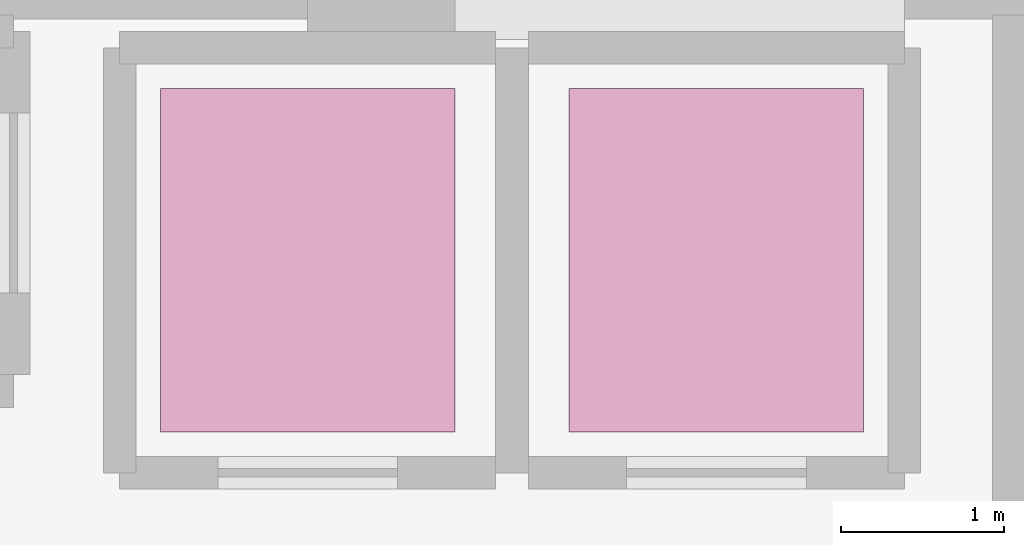
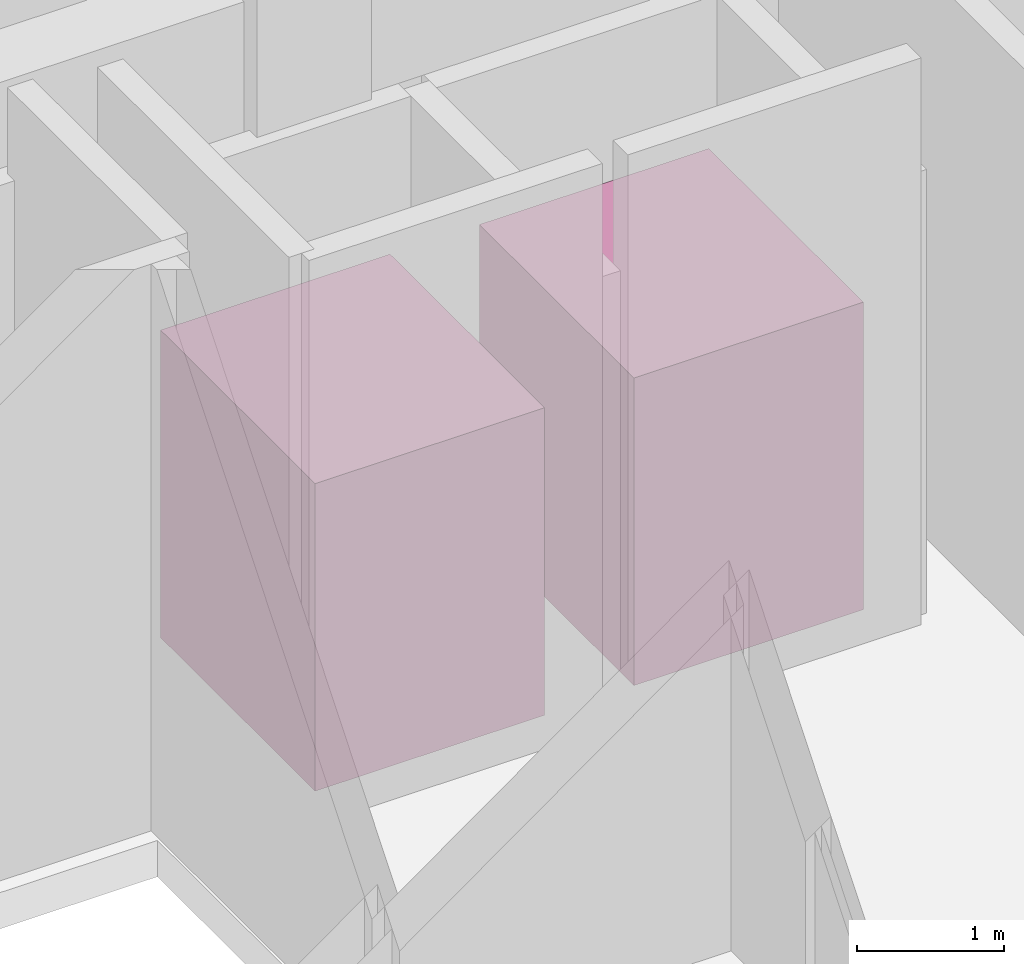
# One storey, part 25 of 25: 2 transport elements.
"""IFC4 building model written with IfcOpenShell, lengths in metres."""

from ifc_helpers import new_model, si_unit, direction, frame, origin, origin_2d, place, context, subcontext, project, spatial, rectangle, extrude, material, type_object, element, save


model = new_model("IFC4")

# Units and contexts
model_context = context("Model", 3, precision=1e-05, world=origin(), true_north=direction((0.0, 1.0)))
body_context = subcontext(model_context, "Body", "Model", "MODEL_VIEW")
ifc_project = project(units=[si_unit("LENGTHUNIT", "METRE"), si_unit("AREAUNIT", "SQUARE_METRE"), si_unit("VOLUMEUNIT", "CUBIC_METRE"), si_unit("PLANEANGLEUNIT", "RADIAN"), si_unit("MASSUNIT", "GRAM", prefix="KILO")], contexts=[model_context])

# Site, building, storey
site_placement = place(None, origin())
site = spatial("IfcSite", under=ifc_project, at=site_placement, CompositionType="ELEMENT")
building_placement = place(site_placement, origin())
building = spatial("IfcBuilding", under=site, at=building_placement, Name="Kovane Verandah Tower", CompositionType="ELEMENT")
storey_placement = place(building_placement, frame((0.0, 0.0, 233.199951171875)))
storey = spatial("IfcBuildingStorey", under=building, at=storey_placement, Name="L54", CompositionType="ELEMENT", Elevation=233.199951171875)

# Transport elements
ifc_material = material(Name="Stainless Steel Lift Car Assembly", Category="steel")
transport_element_type = type_object("IfcTransportElementType", Name="LF-CAR-1800", PredefinedType="ELEVATOR", material=ifc_material)
for number, where, z_axis, x_axis, name in (
    (1, (34.14990234375, 34.75, 0.0), (0.0, 0.0, 1.0), (1.0, 0.0, 0.0), "Lift Car PL-H1"),
    (2, (36.64990234375, 34.75, 0.0), (0.0, 0.0, 1.0), (1.0, 0.0, 0.0), "Lift Car PL-H2"),
):
    element("IfcTransportElement", number, at=place(storey_placement, frame(where, z_axis=z_axis, x_axis=x_axis)), inside=storey, type_object=transport_element_type, Name=name, PredefinedType="ELEVATOR", context=body_context, shape_type="SweptSolid", body=[
        extrude(rectangle(XDim=1.800048828125, YDim=2.10009765625, at=origin_2d()), origin(), (0.0, 0.0, 1.0), 2.550048828125),
    ])

save(model, "model.ifc")
